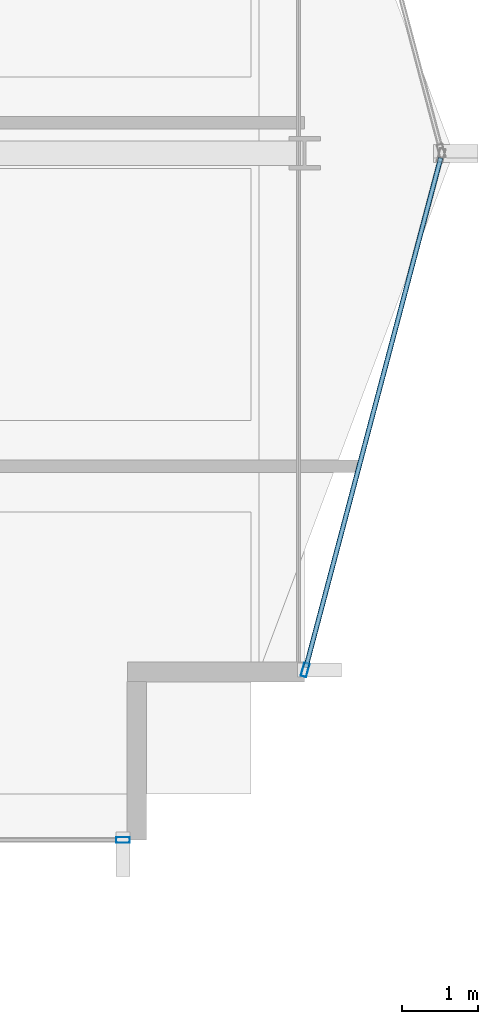
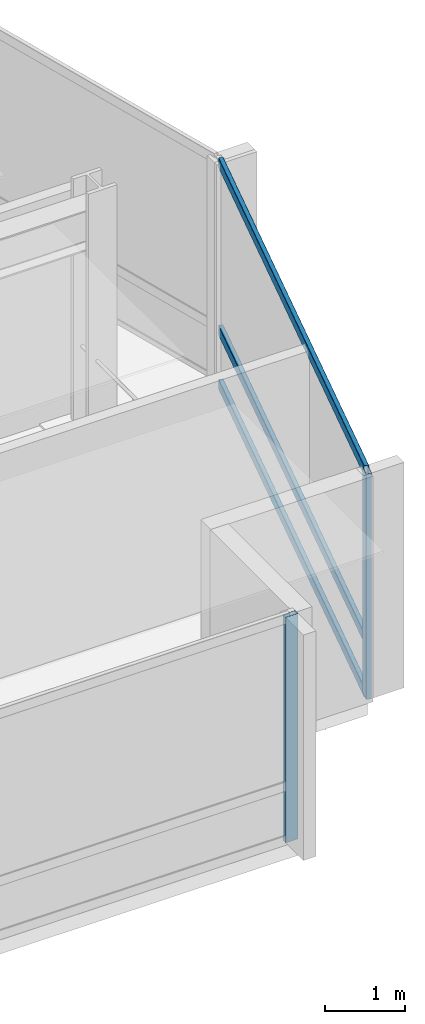
# One storey, part 11 of 29: 5 members, 2 elements without a shape of their own.
"""IFC4 building model written with IfcOpenShell, lengths in metres."""

from ifc_helpers import new_model, si_unit, direction, frame, origin, origin_2d, place, context, subcontext, project, spatial, hollow_rectangle, extrude, material, layer, layer_set, material_profile, profile_set, type_object, element, aggregate, save


model = new_model("IFC4")

# Units and contexts
model_context = context("Model", 3, precision=1e-05, world=origin(), true_north=direction((0.0, 1.0)))
body_context = subcontext(model_context, "Body", "Model", "MODEL_VIEW")
ifc_project = project(units=[si_unit("LENGTHUNIT", "METRE"), si_unit("AREAUNIT", "SQUARE_METRE"), si_unit("VOLUMEUNIT", "CUBIC_METRE"), si_unit("PLANEANGLEUNIT", "RADIAN"), si_unit("MASSUNIT", "GRAM", prefix="KILO")], contexts=[model_context])

# Site, building, storey
site_placement = place(None, origin())
site = spatial("IfcSite", under=ifc_project, at=site_placement, CompositionType="ELEMENT")
building_placement = place(site_placement, origin())
building = spatial("IfcBuilding", under=site, at=building_placement, Name="Solvaryn Broadcast Tower", CompositionType="ELEMENT")
storey_placement = place(building_placement, frame((0.0, 0.0, 147.0)))
storey = spatial("IfcBuildingStorey", under=building, at=storey_placement, Name="L36", CompositionType="ELEMENT", Elevation=147.0)

# Curtain wall, member
ifc_material_1 = material(Name="Aluminium and Terracotta Unitised Curtain Wall", Category="masonry")
ifc_layer = layer(ifc_material_1, 0.199951171875)
ifc_layer_set = layer_set([ifc_layer], Name="CW-SYS2-LOWMID")
curtain_wall_type = type_object("IfcCurtainWallType", Name="CW-SYS2-LOWMID", PredefinedType="NOTDEFINED", material=ifc_layer_set)
curtain_wall_1_placement = place(storey_placement, origin())
curtain_wall_1 = element("IfcCurtainWall", 1, at=curtain_wall_1_placement, inside=storey, type_object=curtain_wall_type, Name="L36 Curtain Wall S2", PredefinedType="NOTDEFINED")
ifc_material_2 = material(Name="Anodised Aluminium 6063-T6", Category="aluminium")
ifc_material_profile_1 = material_profile(ifc_material_2, hollow_rectangle(XDim=0.074951171875, YDim=0.179931640625, WallThickness=0.00390625, InnerFilletRadius=0.00390625, OuterFilletRadius=0.008056640625, at=origin_2d()))
ifc_profile_set_1 = profile_set([ifc_material_profile_1], Name="Anodised Aluminium 6063-T6")
member_type_1 = type_object("IfcMemberType", Name="CW-MUL-180", PredefinedType="MULLION", material=ifc_profile_set_1)
member_1_placement = place(storey_placement, frame((51.6201171875, 9.0, 0.0), z_axis=(0.0, 0.0, 1.0), x_axis=(0.0, 1.0, 0.0)))
member_1 = element("IfcMember", 2, at=member_1_placement, type_object=member_type_1, Name="CWS2 mullion 2", PredefinedType="MULLION", context=body_context, shape_type="SweptSolid", body=[
    extrude(hollow_rectangle(XDim=0.074951171875, YDim=0.179931640625, WallThickness=0.00390625, InnerFilletRadius=0.00390625, OuterFilletRadius=0.008056640625, at=origin_2d()), origin(), (0.0, 0.0, 1.0), 3.419921875),
])
aggregate(curtain_wall_1, [member_1])

# Curtain wall, members
curtain_wall_2_placement = place(storey_placement, origin())
curtain_wall_2 = element("IfcCurtainWall", 3, at=curtain_wall_2_placement, inside=storey, type_object=curtain_wall_type, Name="L36 Curtain Wall ET2", PredefinedType="NOTDEFINED")
member_2_placement = place(storey_placement, frame((54.007568359375, 11.22900390625, 0.0), z_axis=(0.0, 0.0, 1.0), x_axis=(0.966705227863, -0.25589256031, 0.0)))
member_2 = element("IfcMember", 4, at=member_2_placement, type_object=member_type_1, Name="CWS2 mullion 2", PredefinedType="MULLION", context=body_context, shape_type="SweptSolid", body=[
    extrude(hollow_rectangle(XDim=0.074951171875, YDim=0.179931640625, WallThickness=0.00390625, InnerFilletRadius=0.00390625, OuterFilletRadius=0.008056640625, at=origin_2d()), origin(), (0.0, 0.0, 1.0), 3.419921875),
])
ifc_material_3 = material(Name="Anodised Aluminium 6063-T6", Category="aluminium")
ifc_material_profile_2 = material_profile(ifc_material_3, hollow_rectangle(XDim=0.06494140625, YDim=0.14990234375, WallThickness=0.00390625, InnerFilletRadius=0.00390625, OuterFilletRadius=0.008056640625, at=origin_2d()))
ifc_profile_set_2 = profile_set([ifc_material_profile_2], Name="Anodised Aluminium 6063-T6")
member_type_2 = type_object("IfcMemberType", Name="CW-TRN-150", PredefinedType="USERDEFINED", material=ifc_profile_set_2)
member_3_placement = place(storey_placement, frame((55.78466796875, 17.94189453125, 0.030029296875), z_axis=(-0.255897413051, -0.966703943301, 0.0), x_axis=(0.966703943301, -0.255897413051, 0.0)))
member_3 = element("IfcMember", 5, at=member_3_placement, type_object=member_type_2, Name="CWS2 transom 1.1", ObjectType="TRANSOM", PredefinedType="USERDEFINED", context=body_context, shape_type="SweptSolid", body=[
    extrude(hollow_rectangle(XDim=0.06494140625, YDim=0.14990234375, WallThickness=0.00390625, InnerFilletRadius=0.00390625, OuterFilletRadius=0.008056640625, at=origin_2d()), origin(), (0.0, 0.0, 1.0), 6.9140625),
])
member_4_placement = place(storey_placement, frame((55.78466796875, 17.94189453125, 0.85009765625), z_axis=(-0.255897413051, -0.966703943301, 0.0), x_axis=(0.966703943301, -0.255897413051, 0.0)))
member_4 = element("IfcMember", 6, at=member_4_placement, type_object=member_type_2, Name="CWS2 transom 1.2", ObjectType="TRANSOM", PredefinedType="USERDEFINED", context=body_context, shape_type="SweptSolid", body=[
    extrude(hollow_rectangle(XDim=0.06494140625, YDim=0.14990234375, WallThickness=0.00390625, InnerFilletRadius=0.00390625, OuterFilletRadius=0.008056640625, at=origin_2d()), origin(), (0.0, 0.0, 1.0), 6.9140625),
])
member_5_placement = place(storey_placement, frame((55.78466796875, 17.94189453125, 3.389892578125), z_axis=(-0.255897413051, -0.966703943301, 0.0), x_axis=(0.966703943301, -0.255897413051, 0.0)))
member_5 = element("IfcMember", 7, at=member_5_placement, type_object=member_type_2, Name="CWS2 transom 1.3", ObjectType="TRANSOM", PredefinedType="USERDEFINED", context=body_context, shape_type="SweptSolid", body=[
    extrude(hollow_rectangle(XDim=0.06494140625, YDim=0.14990234375, WallThickness=0.00390625, InnerFilletRadius=0.00390625, OuterFilletRadius=0.008056640625, at=origin_2d()), origin(), (0.0, 0.0, 1.0), 6.9140625),
])
aggregate(curtain_wall_2, [member_2, member_3, member_4, member_5])

save(model, "model.ifc")
